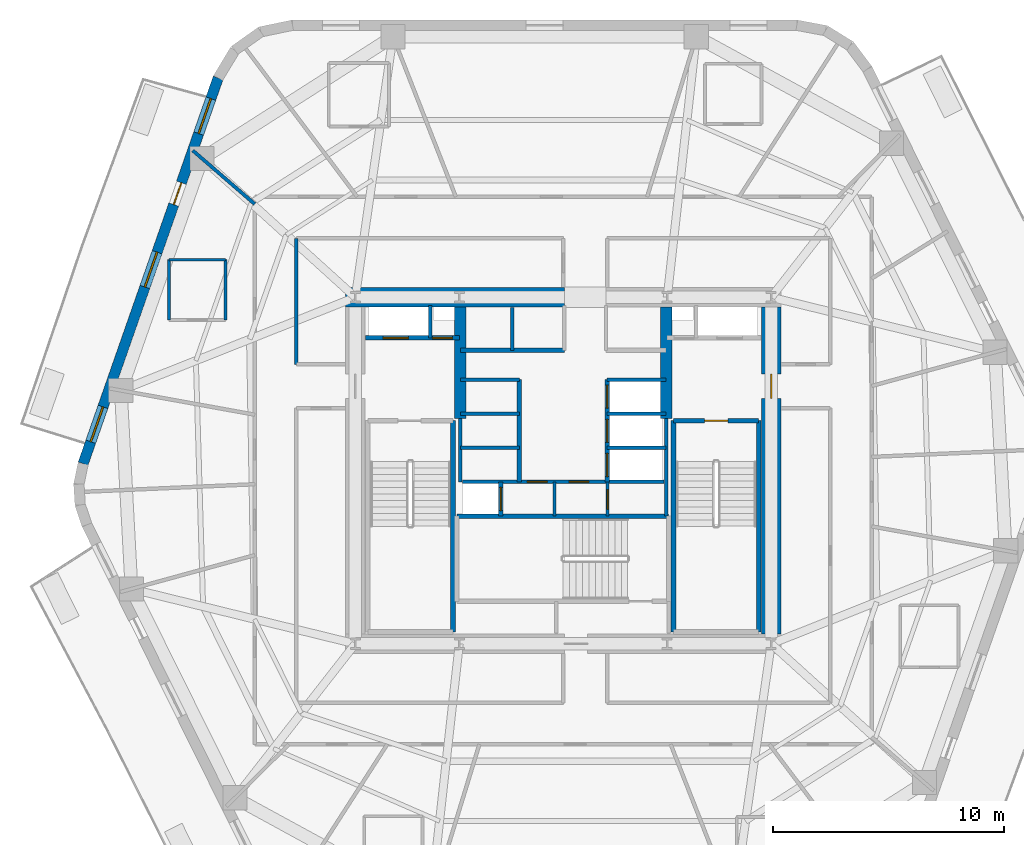
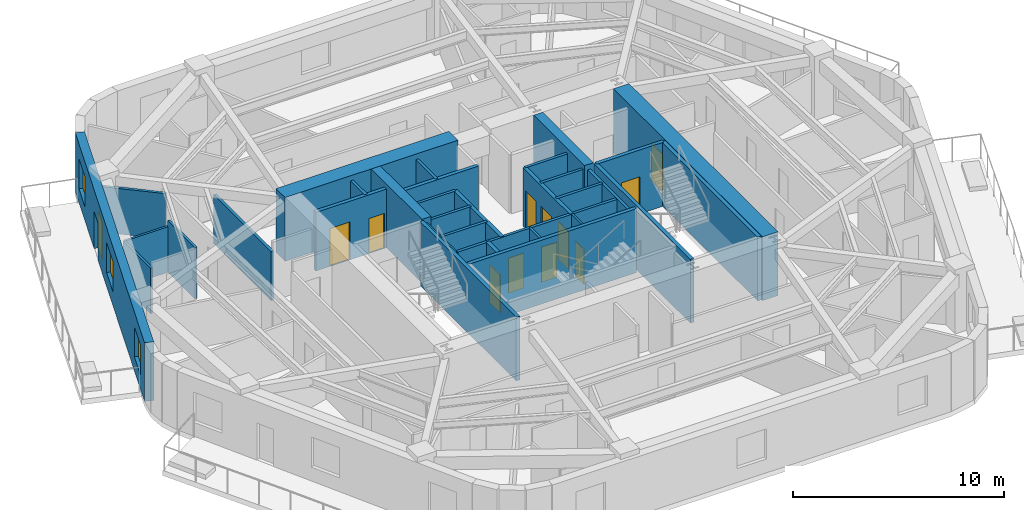
# One storey, part 4 of 10: 33 walls, 12 doors, 3 windows, 15 openings.
"""IFC4 building model written with IfcOpenShell, lengths in metres."""

import ifcopenshell
import ifcopenshell.guid

model = None  # the IFC model being written
_history = None  # IfcOwnerHistory: only IFC2X3 demands one
_inside = {}  # id of a spatial element -> (the spatial element, [elements in it])
_under = {}  # id of a project, library or spatial element -> (it, [spatial elements below it])
_declared = {}  # id of a project -> (the project, [libraries it declares])
_typed = {}  # id of a type object -> (the type object, [elements of that type])
_made_of = {}  # id of a material, layer set ... -> (it, [elements and type objects made of it])


def new_model(schema):
    """Start an empty IFC model of exactly this schema.

    Asked for "IFC4X3", IfcOpenShell would pick the latest addendum, in which some entities
    have other attributes; the version numbers below select the first issue.
    IFC2X3 requires an IfcOwnerHistory on every rooted entity: one is made here for all.
    """
    global model, _history
    if schema == "IFC4X3":
        model = ifcopenshell.file(schema_version=(4, 3, 0, 0))
    else:
        model = ifcopenshell.file(schema=schema)
    _inside.clear()
    _under.clear()
    _declared.clear()
    _typed.clear()
    _made_of.clear()
    _history = None
    if model.schema == "IFC2X3":
        org = make("IfcOrganization", Name="unknown")
        user = make(
            "IfcPersonAndOrganization",
            ThePerson=make("IfcPerson", FamilyName="unknown"),
            TheOrganization=org,
        )
        app = make(
            "IfcApplication",
            ApplicationDeveloper=org,
            Version="unknown",
            ApplicationFullName="unknown",
            ApplicationIdentifier="unknown",
        )
        _history = make(
            "IfcOwnerHistory",
            OwningUser=user,
            OwningApplication=app,
            ChangeAction="ADDED",
            CreationDate=0,
        )
    return model


def make(cls, **values):
    """One entity of the class cls with the attributes given. An attribute that is None is left unset."""
    return model.create_entity(
        cls, **{name: value for name, value in values.items() if value is not None}
    )


def rooted(cls, **values):
    """An entity with a GlobalId (a new one), such as an element, a storey or a relation."""
    return make(cls, GlobalId=ifcopenshell.guid.new(), OwnerHistory=_history, **values)


def si_unit(unit_type, name, prefix=None):
    """IfcSIUnit, for example si_unit("LENGTHUNIT", "METRE", prefix="MILLI")."""
    return make("IfcSIUnit", UnitType=unit_type, Prefix=prefix, Name=name)


def assignment(units):
    """IfcUnitAssignment: the units of a project."""
    return None if units is None else make("IfcUnitAssignment", Units=units)


def point(xyz):
    """IfcCartesianPoint."""
    return None if xyz is None else make("IfcCartesianPoint", Coordinates=xyz)


def direction(xyz):
    """IfcDirection."""
    return None if xyz is None else make("IfcDirection", DirectionRatios=xyz)


def frame(location, z_axis=None, x_axis=None):
    """IfcAxis2Placement3D, a coordinate frame: its origin and axes. An axis left out is left unset."""
    return make(
        "IfcAxis2Placement3D",
        Location=point(location),
        Axis=direction(z_axis),
        RefDirection=direction(x_axis),
    )


def frame_2d(location, x_axis=None):
    """IfcAxis2Placement2D, a coordinate frame in the plane: its origin and x axis."""
    return make(
        "IfcAxis2Placement2D", Location=point(location), RefDirection=direction(x_axis)
    )


def origin():
    """The frame at (0, 0, 0) with its axes left unset."""
    return frame((0.0, 0.0, 0.0))


def place(relative_to, where):
    """IfcLocalPlacement: puts the frame where relative to a parent placement (None: the world)."""
    return make(
        "IfcLocalPlacement", PlacementRelTo=relative_to, RelativePlacement=where
    )


def context(
    kind, dimensions, precision=None, world=None, true_north=None, identifier=None
):
    """IfcGeometricRepresentationContext, for example the 3D "Model" context."""
    return make(
        "IfcGeometricRepresentationContext",
        ContextIdentifier=identifier,
        ContextType=kind,
        CoordinateSpaceDimension=dimensions,
        Precision=precision,
        WorldCoordinateSystem=world,
        TrueNorth=true_north,
    )


def subcontext(parent, identifier, kind, view, scale=None):
    """IfcGeometricRepresentationSubContext, for example "Body" below "Model"."""
    return make(
        "IfcGeometricRepresentationSubContext",
        ContextIdentifier=identifier,
        ContextType=kind,
        ParentContext=parent,
        TargetScale=scale,
        TargetView=view,
    )


def project(units=None, contexts=None):
    """IfcProject with its units and contexts."""
    return rooted(
        "IfcProject",
        Name="project",
        RepresentationContexts=contexts,
        UnitsInContext=assignment(units),
    )


def spatial(cls, under=None, at=None, **own):
    """A site, building, storey or space (cls), placed at a placement, below another one or the project."""
    s = rooted(cls, ObjectPlacement=at, **own)
    if under is not None:
        _under.setdefault(under.id(), (under, []))[1].append(s)
    return s


def profile(cls, at=None, kind="AREA", **sizes):
    """A parametric profile (cls). Its sizes go by their IFC names, for example OverallWidth=200.0."""
    return make(cls, ProfileType=kind, Position=at, **sizes)


def rectangle(**sizes):
    """IfcRectangleProfileDef."""
    return profile("IfcRectangleProfileDef", **sizes)


def extrude(swept, where, along, depth):
    """IfcExtrudedAreaSolid: the profile swept, set in the frame where, extruded along a direction by depth."""
    return make(
        "IfcExtrudedAreaSolid",
        SweptArea=swept,
        Position=where,
        ExtrudedDirection=direction(along),
        Depth=depth,
    )


def shape(context_of_items, identifier, shape_type, items):
    """IfcShapeRepresentation: the items that make up one representation, for example the "Body"."""
    return make(
        "IfcShapeRepresentation",
        ContextOfItems=context_of_items,
        RepresentationIdentifier=identifier,
        RepresentationType=shape_type,
        Items=items,
    )


def material(Name=None, Category=None):
    """IfcMaterial."""
    return make("IfcMaterial", Name=Name, Category=Category)


def layer(
    of_material, thickness, ventilated=None, Name=None, Category=None, Priority=None
):
    """IfcMaterialLayer: one layer of a wall or slab, of a material (None: an air gap)."""
    return make(
        "IfcMaterialLayer",
        Material=of_material,
        LayerThickness=thickness,
        IsVentilated=ventilated,
        Name=Name,
        Category=Category,
        Priority=Priority,
    )


def layer_set(layers, Name=None):
    """IfcMaterialLayerSet."""
    return make("IfcMaterialLayerSet", MaterialLayers=layers, LayerSetName=Name)


def made_of(thing, what):
    """Note that an element or type object is made of a material, layer set ...; save() writes the relation."""
    if what is not None:
        _made_of.setdefault(what.id(), (what, []))[1].append(thing)
    return thing


def type_object(cls, material=None, **own):
    """A type object (cls), such as IfcWallType, which elements share."""
    return made_of(rooted(cls, **own), material)


def element(
    cls,
    number,
    at=None,
    inside=None,
    cuts=None,
    type_object=None,
    material=None,
    context=None,
    identifier="Body",
    shape_type=None,
    held_by="IfcProductDefinitionShape",
    body=None,
    shapes=None,
    **own,
):
    """One element of the class cls, such as IfcWall. Its Tag is "e" and its number.

    at: its placement. inside: the storey or other place that contains it. cuts: it is an
    opening in that element (IfcRelVoidsElement). A single representation is given by context,
    identifier, shape_type and body (its items); several are given by shapes. held_by: the class
    of the entity that holds the representations. save() writes the other relations.
    """
    e = rooted(cls, Tag="e%d" % number, ObjectPlacement=at, **own)
    if body is not None:
        shapes = [shape(context, identifier, shape_type, body)]
    if shapes is not None:
        e.Representation = make(held_by, Representations=shapes)
    if inside is not None:
        _inside.setdefault(inside.id(), (inside, []))[1].append(e)
    if cuts is not None:
        rooted(
            "IfcRelVoidsElement", RelatingBuildingElement=cuts, RelatedOpeningElement=e
        )
    if type_object is not None:
        _typed.setdefault(type_object.id(), (type_object, []))[1].append(e)
    return made_of(e, material)


def fill(opening, filler):
    """IfcRelFillsElement: the door or window that sits in an opening."""
    return rooted(
        "IfcRelFillsElement",
        RelatingOpeningElement=opening,
        RelatedBuildingElement=filler,
    )


def aggregate(whole, parts):
    """IfcRelAggregates: a whole, such as a stair, and the parts it consists of."""
    return rooted("IfcRelAggregates", RelatingObject=whole, RelatedObjects=parts)


def save(model, path):
    """Write the relations noted so far, then the file.

    IfcRelAggregates (storeys below a building ...), IfcRelContainedInSpatialStructure (elements
    in a storey), IfcRelDefinesByType, IfcRelAssociatesMaterial and IfcRelDeclares: one each for
    every whole, place, type object, material and project.
    """
    for whole, parts in _under.values():
        aggregate(whole, parts)
    for where, things in _inside.values():
        rooted(
            "IfcRelContainedInSpatialStructure",
            RelatedElements=things,
            RelatingStructure=where,
        )
    for kind, things in _typed.values():
        rooted("IfcRelDefinesByType", RelatedObjects=things, RelatingType=kind)
    for what, things in _made_of.values():
        rooted("IfcRelAssociatesMaterial", RelatedObjects=things, RelatingMaterial=what)
    for by, libraries in _declared.values():
        rooted("IfcRelDeclares", RelatingContext=by, RelatedDefinitions=libraries)
    model.write(path)


model = new_model("IFC4")

# Units and contexts
model_context = context("Model", 3, precision=1e-05, world=origin(), true_north=direction((0.0, 1.0)))
body_context = subcontext(model_context, "Body", "Model", "MODEL_VIEW")
ifc_project = project(units=[si_unit("LENGTHUNIT", "METRE"), si_unit("AREAUNIT", "SQUARE_METRE"), si_unit("VOLUMEUNIT", "CUBIC_METRE"), si_unit("PLANEANGLEUNIT", "RADIAN"), si_unit("MASSUNIT", "GRAM", prefix="KILO")], contexts=[model_context])

# Site, building, storey
site_placement = place(None, origin())
site = spatial("IfcSite", under=ifc_project, at=site_placement, CompositionType="ELEMENT")
building_placement = place(site_placement, origin())
building = spatial("IfcBuilding", under=site, at=building_placement, Name="Kilnhurst Terrace Hotel", CompositionType="ELEMENT")
storey_placement = place(building_placement, frame((0.0, 0.0, 144.300048828125)))
storey = spatial("IfcBuildingStorey", under=building, at=storey_placement, Name="L35", CompositionType="ELEMENT", Elevation=144.300048828125)

# Wall, openings, door, windows
ifc_material_1 = material(Name="Precast concrete C40/50", Category="concrete")
ifc_layer_1 = layer(ifc_material_1, 0.449951171875, Name="Precast concrete C40/50")
ifc_layer_set_1 = layer_set([ifc_layer_1], Name="Precast concrete C40/50")
wall_type_1 = type_object("IfcWallType", Name="WL-BRK-450", PredefinedType="SOLIDWALL", material=ifc_layer_set_1)
wall_1_placement = place(storey_placement, frame((-14.936767578125, 16.993408203125, 0.0), z_axis=(0.0, 0.0, 1.0), x_axis=(-0.330431575061, -0.943829949834, 0.0)))
wall_1 = element("IfcWall", 1, at=wall_1_placement, inside=storey, type_object=wall_type_1, Name="L35 Exterior Brick Facade Wall F5", PredefinedType="SOLIDWALL", context=body_context, shape_type="SweptSolid", body=[
    extrude(rectangle(XDim=17.68896484375, YDim=0.449951171875, at=frame_2d((8.844482421875, 0.0))), origin(), (0.0, 0.0, 1.0), 3.39990234375),
])
opening_1_placement = place(wall_1_placement, frame((4.806884765625, 0.0, 0.0)))
opening_1 = element("IfcOpeningElement", 2, at=opening_1_placement, cuts=wall_1, Name="Opening BD-1000", PredefinedType="OPENING", context=body_context, shape_type="SweptSolid", body=[
    extrude(rectangle(XDim=1.0, YDim=2.14990234375, at=frame_2d((0.5, 1.074951171875))), frame((0.0, 0.23486328125, 0.0), z_axis=(0.0, -1.0, 0.0), x_axis=(1.0, 0.0, 0.0)), (0.0, 0.0, 1.0), 0.469970703125),
])
opening_2_placement = place(wall_1_placement, frame((0.949951171875, 0.0, 0.800048828125)))
opening_2 = element("IfcOpeningElement", 3, at=opening_2_placement, cuts=wall_1, Name="Opening W-05", PredefinedType="OPENING", context=body_context, shape_type="SweptSolid", body=[
    extrude(rectangle(XDim=1.60009765625, YDim=1.75, at=frame_2d((0.800048828125, 0.875))), frame((0.0, 0.23486328125, 0.0), z_axis=(0.0, -1.0, 0.0), x_axis=(1.0, 0.0, 0.0)), (0.0, 0.0, 1.0), 0.469970703125),
])
opening_3_placement = place(wall_1_placement, frame((7.989990234375, 0.0, 0.800048828125)))
opening_3 = element("IfcOpeningElement", 4, at=opening_3_placement, cuts=wall_1, Name="Opening W-05", PredefinedType="OPENING", context=body_context, shape_type="SweptSolid", body=[
    extrude(rectangle(XDim=1.60009765625, YDim=1.75, at=frame_2d((0.800048828125, 0.875))), frame((0.0, 0.23486328125, 0.0), z_axis=(0.0, -1.0, 0.0), x_axis=(1.0, 0.0, 0.0)), (0.0, 0.0, 1.0), 0.469970703125),
])
opening_4_placement = place(wall_1_placement, frame((15.083984375, 0.0, 0.800048828125)))
opening_4 = element("IfcOpeningElement", 5, at=opening_4_placement, cuts=wall_1, Name="Opening W-05", PredefinedType="OPENING", context=body_context, shape_type="SweptSolid", body=[
    extrude(rectangle(XDim=1.60009765625, YDim=1.75, at=frame_2d((0.800048828125, 0.875))), frame((0.0, 0.23486328125, 0.0), z_axis=(0.0, -1.0, 0.0), x_axis=(1.0, 0.0, 0.0)), (0.0, 0.0, 1.0), 0.469970703125),
])
ifc_material_2 = material(Name="Thermally Broken Bronze Aluminium Alloy 6063-T6 and Laminated Glass", Category="aluminium")
door_type_1 = type_object("IfcDoorType", Name="DR-EXT-BAL-1000", OperationType="NOTDEFINED", PredefinedType="DOOR", material=ifc_material_2)
door_1_placement = place(opening_1_placement, origin())
door_1 = element("IfcDoor", 6, at=door_1_placement, inside=storey, type_object=door_type_1, Name="L35 Planted Balcony Door BAL-L2A", OperationType="SINGLE_SWING_LEFT", OverallHeight=2.14990234375, OverallWidth=1.0, PredefinedType="DOOR", context=body_context, shape_type="SweptSolid", body=[
    extrude(rectangle(XDim=1.0, YDim=2.14990234375, at=frame_2d((0.5, 1.074951171875))), frame((0.0, 0.02490234375, 0.0), z_axis=(0.0, -1.0, 0.0), x_axis=(1.0, 0.0, 0.0)), (0.0, 0.0, 1.0), 0.050048828125),
])
fill(opening_1, door_1)
ifc_material_3 = material(Name="Thermally Broken Bronze Aluminium Alloy 6063-T6 and Low-E Glass", Category="aluminium")
window_type = type_object("IfcWindowType", Name="WIN-1600X1750", PartitioningType="SINGLE_PANEL", PredefinedType="WINDOW", material=ifc_material_3)
window_1_placement = place(opening_2_placement, origin())
window_1 = element("IfcWindow", 7, at=window_1_placement, inside=storey, type_object=window_type, Name="L35 Deep-Set Masonry Window F5.1", OverallHeight=1.75, OverallWidth=1.60009765625, PartitioningType="SINGLE_PANEL", PredefinedType="WINDOW", context=body_context, shape_type="SweptSolid", body=[
    extrude(rectangle(XDim=1.60009765625, YDim=1.75, at=frame_2d((0.800048828125, 0.875))), frame((0.0, 0.030029296875, 0.0), z_axis=(0.0, -1.0, 0.0), x_axis=(1.0, 0.0, 0.0)), (0.0, 0.0, 1.0), 0.06005859375),
])
fill(opening_2, window_1)
window_2_placement = place(opening_3_placement, origin())
window_2 = element("IfcWindow", 8, at=window_2_placement, inside=storey, type_object=window_type, Name="L35 Deep-Set Masonry Window F5.2", OverallHeight=1.75, OverallWidth=1.60009765625, PartitioningType="SINGLE_PANEL", PredefinedType="WINDOW", context=body_context, shape_type="SweptSolid", body=[
    extrude(rectangle(XDim=1.60009765625, YDim=1.75, at=frame_2d((0.800048828125, 0.875))), frame((0.0, 0.030029296875, 0.0), z_axis=(0.0, -1.0, 0.0), x_axis=(1.0, 0.0, 0.0)), (0.0, 0.0, 1.0), 0.06005859375),
])
fill(opening_3, window_2)
window_3_placement = place(opening_4_placement, origin())
window_3 = element("IfcWindow", 9, at=window_3_placement, inside=storey, type_object=window_type, Name="L35 Deep-Set Masonry Window F5.3", OverallHeight=1.75, OverallWidth=1.60009765625, PartitioningType="SINGLE_PANEL", PredefinedType="WINDOW", context=body_context, shape_type="SweptSolid", body=[
    extrude(rectangle(XDim=1.60009765625, YDim=1.75, at=frame_2d((0.800048828125, 0.875))), frame((0.0, 0.030029296875, 0.0), z_axis=(0.0, -1.0, 0.0), x_axis=(1.0, 0.0, 0.0)), (0.0, 0.0, 1.0), 0.06005859375),
])
fill(opening_4, window_3)

# Walls
ifc_material_4 = material(Name="Acoustic Double-Gypsum Corridor Partition Assembly")
ifc_layer_2 = layer(ifc_material_4, 0.14990234375, Name="Acoustic Double-Gypsum Corridor Partition Assembly")
ifc_layer_set_2 = layer_set([ifc_layer_2], Name="Acoustic Double-Gypsum Corridor Partition Assembly")
wall_type_2 = type_object("IfcWallType", Name="WL-COR-150", PredefinedType="PARTITIONING", material=ifc_layer_set_2)
wall_2_placement = place(storey_placement, frame((-11.550048828125, 10.050048828125, 0.0), z_axis=(0.0, 0.0, 1.0), x_axis=(0.0, -1.0, 0.0)))
element("IfcWall", 10, at=wall_2_placement, inside=storey, type_object=wall_type_2, Name="L35 Interior Wall WL-L35-COR-13", PredefinedType="PARTITIONING", context=body_context, shape_type="SweptSolid", body=[
    extrude(rectangle(XDim=5.449951171875, YDim=0.14990234375, at=frame_2d((2.72509765625, 0.0))), origin(), (0.0, 0.0, 1.0), 2.83984375),
])
ifc_material_5 = material(Name="Concrete C80/95", Category="concrete")
ifc_layer_3 = layer(ifc_material_5, 0.85009765625, Name="Concrete C80/95")
ifc_layer_set_3 = layer_set([ifc_layer_3], Name="Concrete C80/95")
wall_type_3 = type_object("IfcWallType", Name="WL-CORE-850", PredefinedType="SHEAR", material=ifc_layer_set_3)
wall_3_placement = place(storey_placement, frame((-9.425048828125, 7.5, 0.0), z_axis=(0.0, 0.0, 1.0), x_axis=(1.0, 0.0, 0.0)))
element("IfcWall", 11, at=wall_3_placement, inside=storey, type_object=wall_type_3, Name="L35 Core North West Shear Wall", PredefinedType="SHEAR", context=body_context, shape_type="SweptSolid", body=[
    extrude(rectangle(XDim=9.47509765625, YDim=0.85009765625, at=frame_2d((4.737548828125, 0.0))), origin(), (0.0, 0.0, 1.0), 3.699951171875),
])

# Wall, opening, door
wall_4_placement = place(storey_placement, frame((9.0, -7.074951171875, 0.0), z_axis=(0.0, 0.0, 1.0), x_axis=(0.0, 1.0, 0.0)))
wall_4 = element("IfcWall", 12, at=wall_4_placement, inside=storey, type_object=wall_type_3, Name="L35 Core East Shear Wall", PredefinedType="SHEAR", context=body_context, shape_type="SweptSolid", body=[
    extrude(rectangle(XDim=14.14990234375, YDim=0.85009765625, at=frame_2d((7.074951171875, 0.0))), origin(), (0.0, 0.0, 1.0), 3.699951171875),
])
opening_5_placement = place(wall_4_placement, frame((10.199951171875, 0.0, 0.0)))
opening_5 = element("IfcOpeningElement", 13, at=opening_5_placement, cuts=wall_4, Name="Opening D-90A", PredefinedType="OPENING", context=body_context, shape_type="SweptSolid", body=[
    extrude(rectangle(XDim=1.050048828125, YDim=2.14990234375, at=frame_2d((0.52490234375, 1.074951171875))), frame((0.0, 0.43505859375, 0.0), z_axis=(0.0, -1.0, 0.0), x_axis=(1.0, 0.0, 0.0)), (0.0, 0.0, 1.0), 0.8701171875),
])
ifc_material_6 = material(Name="Painted Hollow Metal Steel ASTM A36 Fire Door", Category="steel")
door_type_2 = type_object("IfcDoorType", Name="DR-FD90-1050", OperationType="NOTDEFINED", PredefinedType="DOOR", material=ifc_material_6)
door_2_placement = place(opening_5_placement, origin())
door_2 = element("IfcDoor", 14, at=door_2_placement, inside=storey, type_object=door_type_2, Name="L35 East Firefighting Lobby Door", OperationType="SINGLE_SWING_LEFT", OverallHeight=2.14990234375, OverallWidth=1.050048828125, PredefinedType="DOOR", context=body_context, shape_type="SweptSolid", body=[
    extrude(rectangle(XDim=1.050048828125, YDim=2.14990234375, at=frame_2d((0.52490234375, 1.074951171875))), frame((0.0, 0.02490234375, 0.0), z_axis=(0.0, -1.0, 0.0), x_axis=(1.0, 0.0, 0.0)), (0.0, 0.0, 1.0), 0.050048828125),
])
fill(opening_5, door_2)

# Walls
ifc_material_7 = material(Name="Concrete C60/75", Category="concrete")
ifc_layer_4 = layer(ifc_material_7, 0.5, Name="Concrete C60/75")
ifc_layer_set_4 = layer_set([ifc_layer_4], Name="Concrete C60/75")
wall_type_4 = type_object("IfcWallType", Name="WL-CORE-WEB-500", PredefinedType="SHEAR", material=ifc_layer_set_4)
for number, where, z_axis, x_axis, name in (
    (15, (-4.449951171875, 2.25, 0.0), (0.0, 0.0, 1.0), (0.0, 1.0, 0.0), "L35 Core Internal West Shear Web"),
    (16, (4.449951171875, 2.25, 0.0), (0.0, 0.0, 1.0), (0.0, 1.0, 0.0), "L35 Core Internal East Shear Web"),
):
    element("IfcWall", number, at=place(storey_placement, frame(where, z_axis=z_axis, x_axis=x_axis)), inside=storey, type_object=wall_type_4, Name=name, PredefinedType="SHEAR", context=body_context, shape_type="SweptSolid", body=[
        extrude(rectangle(XDim=4.824951171875, YDim=0.5, at=frame_2d((2.41259765625, 0.0))), origin(), (0.0, 0.0, 1.0), 3.699951171875),
    ])
ifc_material_8 = material(Name="STC-58 Acoustic Twin-Frame Guestroom Demising Partition")
ifc_layer_5 = layer(ifc_material_8, 0.14990234375, Name="STC-58 Acoustic Twin-Frame Guestroom Demising Partition")
ifc_layer_set_5 = layer_set([ifc_layer_5], Name="STC-58 Acoustic Twin-Frame Guestroom Demising Partition")
wall_type_5 = type_object("IfcWallType", Name="WL-DEM-150", PredefinedType="PARTITIONING", material=ifc_layer_set_5)
wall_5_placement = place(storey_placement, frame((-13.35009765625, 11.53271484375, 0.0), z_axis=(0.0, 0.0, 1.0), x_axis=(-0.756711647314, 0.65374879183, 0.0)))
element("IfcWall", 17, at=wall_5_placement, inside=storey, type_object=wall_type_5, Name="L35 Interior Wall WL-L35-DEM-COL05-09-1", PredefinedType="PARTITIONING", context=body_context, shape_type="SweptSolid", body=[
    extrude(rectangle(XDim=3.549560546875, YDim=0.14990234375, at=frame_2d((1.77490234375, 0.0))), origin(), (0.0, 0.0, 1.0), 2.639892578125),
])
ifc_material_9 = material(Name="120 mm Moisture-Resistant Tile-Backed Bathroom Partition")
ifc_layer_6 = layer(ifc_material_9, 0.1201171875, Name="120 mm Moisture-Resistant Tile-Backed Bathroom Partition")
ifc_layer_set_6 = layer_set([ifc_layer_6], Name="120 mm Moisture-Resistant Tile-Backed Bathroom Partition")
wall_type_6 = type_object("IfcWallType", Name="WL-PART-120", PredefinedType="PARTITIONING", material=ifc_layer_set_6)
wall_6_placement = place(storey_placement, frame((-0.3798828125, -1.971923828125, 0.0), z_axis=(0.0, 0.0, 1.0), x_axis=(0.0, 1.0, 0.0)))
element("IfcWall", 18, at=wall_6_placement, inside=storey, type_object=wall_type_6, Name="L35 Interior Wall WL-L35-BOH-C1", PredefinedType="PARTITIONING", context=body_context, shape_type="SweptSolid", body=[
    extrude(rectangle(XDim=1.471923828125, YDim=0.1201171875, at=frame_2d((0.73583984375, 0.0))), origin(), (0.0, 0.0, 1.0), 3.39990234375),
])

# Wall, opening, door
wall_7_placement = place(storey_placement, frame((1.919921875, -1.971923828125, 0.0), z_axis=(0.0, 0.0, 1.0), x_axis=(0.0, 1.0, 0.0)))
wall_7 = element("IfcWall", 19, at=wall_7_placement, inside=storey, type_object=wall_type_6, Name="L35 Interior Wall WL-L35-BOH-C2", PredefinedType="PARTITIONING", context=body_context, shape_type="SweptSolid", body=[
    extrude(rectangle(XDim=1.471923828125, YDim=0.1201171875, at=frame_2d((0.73583984375, 0.0))), origin(), (0.0, 0.0, 1.0), 3.39990234375),
])
opening_6_placement = place(wall_7_placement, frame((0.300048828125, 0.0, 0.0)))
opening_6 = element("IfcOpeningElement", 20, at=opening_6_placement, cuts=wall_7, Name="Opening D-08A", PredefinedType="OPENING", context=body_context, shape_type="SweptSolid", body=[
    extrude(rectangle(XDim=0.85009765625, YDim=2.030029296875, at=frame_2d((0.425048828125, 1.01513671875))), frame((0.0, 0.070068359375, 0.0), z_axis=(0.0, -1.0, 0.0), x_axis=(1.0, 0.0, 0.0)), (0.0, 0.0, 1.0), 0.14013671875),
])
ifc_material_10 = material(Name="Moisture-Resistant Lacquered En-suite Bathroom Door")
door_type_3 = type_object("IfcDoorType", Name="DR-INT-850", OperationType="NOTDEFINED", PredefinedType="DOOR", material=ifc_material_10)
door_3_placement = place(opening_6_placement, origin())
door_3 = element("IfcDoor", 21, at=door_3_placement, inside=storey, type_object=door_type_3, Name="L35 Staff Restroom Door", OperationType="SINGLE_SWING_RIGHT", OverallHeight=2.030029296875, OverallWidth=0.85009765625, PredefinedType="DOOR", context=body_context, shape_type="SweptSolid", body=[
    extrude(rectangle(XDim=0.85009765625, YDim=2.030029296875, at=frame_2d((0.425048828125, 1.01513671875))), frame((0.0, 0.02490234375, 0.0), z_axis=(0.0, -1.0, 0.0), x_axis=(1.0, 0.0, 0.0)), (0.0, 0.0, 1.0), 0.050048828125),
])
fill(opening_6, door_3)

# Walls
wall_8_placement = place(storey_placement, frame((-14.623046875, 6.513916015625, 0.0), z_axis=(0.0, 0.0, 1.0), x_axis=(0.0, 1.0, 0.0)))
element("IfcWall", 22, at=wall_8_placement, inside=storey, type_object=wall_type_6, Name="L35 Interior Wall WL-L35-BTH-09-2", PredefinedType="PARTITIONING", context=body_context, shape_type="SweptSolid", body=[
    extrude(rectangle(XDim=2.610107421875, YDim=0.1201171875, at=frame_2d((1.30517578125, 0.0))), origin(), (0.0, 0.0, 1.0), 2.972412109375),
])
wall_9_placement = place(storey_placement, frame((-14.623046875, 9.1240234375, 0.0), z_axis=(0.0, 0.0, 1.0), x_axis=(-1.0, 0.0, 0.0)))
element("IfcWall", 23, at=wall_9_placement, inside=storey, type_object=wall_type_6, Name="L35 Interior Wall WL-L35-BTH-09-3", PredefinedType="PARTITIONING", context=body_context, shape_type="SweptSolid", body=[
    extrude(rectangle(XDim=2.43994140625, YDim=0.1201171875, at=frame_2d((1.219970703125, 0.0))), origin(), (0.0, 0.0, 1.0), 2.639892578125),
])
wall_10_placement = place(storey_placement, frame((-17.06298828125, 9.1240234375, 0.0), z_axis=(0.0, 0.0, 1.0), x_axis=(0.0, -1.0, 0.0)))
element("IfcWall", 24, at=wall_10_placement, inside=storey, type_object=wall_type_6, Name="L35 Interior Wall WL-L35-BTH-09-4", PredefinedType="PARTITIONING", context=body_context, shape_type="SweptSolid", body=[
    extrude(rectangle(XDim=2.610107421875, YDim=0.1201171875, at=frame_2d((1.30517578125, 0.0))), origin(), (0.0, 0.0, 1.0), 2.639892578125),
])
ifc_material_11 = material(Name="Fire-Rated Gypsum Shaftliner Assembly")
ifc_layer_7 = layer(ifc_material_11, 0.14990234375, Name="Fire-Rated Gypsum Shaftliner Assembly")
ifc_layer_set_7 = layer_set([ifc_layer_7], Name="Fire-Rated Gypsum Shaftliner Assembly")
wall_type_7 = type_object("IfcWallType", Name="WL-SHAFT-150", PredefinedType="PARTITIONING", material=ifc_layer_set_7)
wall_11_placement = place(storey_placement, frame((-5.75, 5.739990234375, 0.0), z_axis=(0.0, 0.0, 1.0), x_axis=(0.0, 1.0, 0.0)))
element("IfcWall", 25, at=wall_11_placement, inside=storey, type_object=wall_type_7, Name="L35 Interior Wall WL-L35-RIS1-DIV", PredefinedType="PARTITIONING", context=body_context, shape_type="SweptSolid", body=[
    extrude(rectangle(XDim=1.409912109375, YDim=0.14990234375, at=frame_2d((0.705078125, 0.0))), origin(), (0.0, 0.0, 1.0), 3.39990234375),
])
wall_12_placement = place(storey_placement, frame((-2.199951171875, 5.199951171875, 0.0), z_axis=(0.0, 0.0, 1.0), x_axis=(0.0, 1.0, 0.0)))
element("IfcWall", 26, at=wall_12_placement, inside=storey, type_object=wall_type_7, Name="L35 Interior Wall WL-L35-HR-DIV1", PredefinedType="PARTITIONING", context=body_context, shape_type="SweptSolid", body=[
    extrude(rectangle(XDim=1.85009765625, YDim=0.14990234375, at=frame_2d((0.925048828125, 0.0))), origin(), (0.0, 0.0, 1.0), 3.39990234375),
])
wall_13_placement = place(storey_placement, frame((-4.449951171875, -0.5, 0.0), z_axis=(0.0, 0.0, 1.0), x_axis=(0.0, 1.0, 0.0)))
element("IfcWall", 27, at=wall_13_placement, inside=storey, type_object=wall_type_7, Name="L35 Interior Wall WL-L35-XLOB-W", PredefinedType="PARTITIONING", context=body_context, shape_type="SweptSolid", body=[
    extrude(rectangle(XDim=2.75, YDim=0.14990234375, at=frame_2d((1.375, 0.0))), origin(), (0.0, 0.0, 1.0), 3.39990234375),
])
wall_14_placement = place(storey_placement, frame((4.449951171875, -1.971923828125, 0.0), z_axis=(0.0, 0.0, 1.0), x_axis=(0.0, 1.0, 0.0)))
element("IfcWall", 28, at=wall_14_placement, inside=storey, type_object=wall_type_7, Name="L35 Interior Wall WL-L35-XLOB-E", PredefinedType="PARTITIONING", context=body_context, shape_type="SweptSolid", body=[
    extrude(rectangle(XDim=4.221923828125, YDim=0.14990234375, at=frame_2d((2.11083984375, 0.0))), origin(), (0.0, 0.0, 1.0), 3.39990234375),
])
for number, where, z_axis, x_axis, name in (
    (29, (-4.449951171875, 3.93994140625, 0.0), (0.0, 0.0, 1.0), (1.0, 0.0, 0.0), "L35 Interior Wall WL-L35-LR-NORTH"),
    (30, (-4.449951171875, 0.97998046875, 0.0), (0.0, 0.0, 1.0), (1.0, 0.0, 0.0), "L35 Interior Wall WL-L35-LR-D1"),
    (31, (-4.449951171875, 2.4599609375, 0.0), (0.0, 0.0, 1.0), (1.0, 0.0, 0.0), "L35 Interior Wall WL-L35-LR-D2"),
    (32, (1.89990234375, 3.93994140625, 0.0), (0.0, 0.0, 1.0), (1.0, 0.0, 0.0), "L35 Interior Wall WL-L35-MR-NORTH"),
    (33, (1.89990234375, 0.97998046875, 0.0), (0.0, 0.0, 1.0), (1.0, 0.0, 0.0), "L35 Interior Wall WL-L35-MR-D1"),
    (34, (1.89990234375, 2.4599609375, 0.0), (0.0, 0.0, 1.0), (1.0, 0.0, 0.0), "L35 Interior Wall WL-L35-MR-D2"),
):
    element("IfcWall", number, at=place(storey_placement, frame(where, z_axis=z_axis, x_axis=x_axis)), inside=storey, type_object=wall_type_7, Name=name, PredefinedType="PARTITIONING", context=body_context, shape_type="SweptSolid", body=[
        extrude(rectangle(XDim=2.550048828125, YDim=0.14990234375, at=frame_2d((1.27490234375, 0.0))), origin(), (0.0, 0.0, 1.0), 3.39990234375),
    ])

# Wall, openings, doors
wall_15_placement = place(storey_placement, frame((-4.360107421875, -0.489990234375, 0.0), z_axis=(0.0, 0.0, 1.0), x_axis=(1.0, 0.0, 0.0)))
wall_15 = element("IfcWall", 35, at=wall_15_placement, inside=storey, type_object=wall_type_7, Name="L35 Interior Wall WL-L35-BOH-N", PredefinedType="PARTITIONING", context=body_context, shape_type="SweptSolid", body=[
    extrude(rectangle(XDim=8.72021484375, YDim=0.14990234375, at=frame_2d((4.360107421875, 0.0))), origin(), (0.0, 0.0, 1.0), 3.39990234375),
])
opening_7_placement = place(wall_15_placement, frame((2.81005859375, 0.0, 0.0)))
opening_7 = element("IfcOpeningElement", 36, at=opening_7_placement, cuts=wall_15, Name="Opening D-60D", PredefinedType="OPENING", context=body_context, shape_type="SweptSolid", body=[
    extrude(rectangle(XDim=0.85009765625, YDim=2.030029296875, at=frame_2d((0.425048828125, 1.01513671875))), frame((0.0, 0.0849609375, 0.0), z_axis=(0.0, -1.0, 0.0), x_axis=(1.0, 0.0, 0.0)), (0.0, 0.0, 1.0), 0.169921875),
])
opening_8_placement = place(wall_15_placement, frame((4.610107421875, 0.0, 0.0)))
opening_8 = element("IfcOpeningElement", 37, at=opening_8_placement, cuts=wall_15, Name="Opening D-60D", PredefinedType="OPENING", context=body_context, shape_type="SweptSolid", body=[
    extrude(rectangle(XDim=0.85009765625, YDim=2.030029296875, at=frame_2d((0.425048828125, 1.01513671875))), frame((0.0, 0.0849609375, 0.0), z_axis=(0.0, -1.0, 0.0), x_axis=(1.0, 0.0, 0.0)), (0.0, 0.0, 1.0), 0.169921875),
])
ifc_material_12 = material(Name="Painted Hollow Metal Steel ASTM A36 Riser Door", Category="steel")
door_type_4 = type_object("IfcDoorType", Name="DR-FD60-850", OperationType="NOTDEFINED", PredefinedType="DOOR", material=ifc_material_12)
door_4_placement = place(opening_7_placement, origin())
door_4 = element("IfcDoor", 38, at=door_4_placement, inside=storey, type_object=door_type_4, Name="L35 Housekeeping Station Door", OperationType="SINGLE_SWING_LEFT", OverallHeight=2.030029296875, OverallWidth=0.85009765625, PredefinedType="DOOR", context=body_context, shape_type="SweptSolid", body=[
    extrude(rectangle(XDim=0.85009765625, YDim=2.030029296875, at=frame_2d((0.425048828125, 1.01513671875))), frame((0.0, 0.02490234375, 0.0), z_axis=(0.0, -1.0, 0.0), x_axis=(1.0, 0.0, 0.0)), (0.0, 0.0, 1.0), 0.050048828125),
])
fill(opening_7, door_4)
door_5_placement = place(opening_8_placement, origin())
door_5 = element("IfcDoor", 39, at=door_5_placement, inside=storey, type_object=door_type_4, Name="L35 Beverage Pantry Door", OperationType="SINGLE_SWING_RIGHT", OverallHeight=2.030029296875, OverallWidth=0.85009765625, PredefinedType="DOOR", context=body_context, shape_type="SweptSolid", body=[
    extrude(rectangle(XDim=0.85009765625, YDim=2.030029296875, at=frame_2d((0.425048828125, 1.01513671875))), frame((0.0, 0.02490234375, 0.0), z_axis=(0.0, -1.0, 0.0), x_axis=(1.0, 0.0, 0.0)), (0.0, 0.0, 1.0), 0.050048828125),
])
fill(opening_8, door_5)

ifc_material_13 = material(Name="Autoclaved Aerated Concrete C30/37 and Gypsum Shaft Assembly", Category="concrete")
ifc_layer_8 = layer(ifc_material_13, 0.199951171875, Name="Autoclaved Aerated Concrete C30/37 and Gypsum Shaft Assembly")
ifc_layer_set_8 = layer_set([ifc_layer_8], Name="Autoclaved Aerated Concrete C30/37 and Gypsum Shaft Assembly")
wall_type_8 = type_object("IfcWallType", Name="WL-SHAFT-200", PredefinedType="PARTITIONING", material=ifc_layer_set_8)
wall_16_placement = place(storey_placement, frame((-8.550048828125, 5.739990234375, 0.0), z_axis=(0.0, 0.0, 1.0), x_axis=(1.0, 0.0, 0.0)))
wall_16 = element("IfcWall", 40, at=wall_16_placement, inside=storey, type_object=wall_type_8, Name="L35 Interior Wall WL-L35-FSAE1-S", PredefinedType="PARTITIONING", context=body_context, shape_type="SweptSolid", body=[
    extrude(rectangle(XDim=4.050048828125, YDim=0.199951171875, at=frame_2d((2.02490234375, 0.0))), origin(), (0.0, 0.0, 1.0), 3.39990234375),
])
opening_9_placement = place(wall_16_placement, frame((0.75, 0.0, 0.0)))
opening_9 = element("IfcOpeningElement", 41, at=opening_9_placement, cuts=wall_16, Name="Opening LD-F1", PredefinedType="OPENING", context=body_context, shape_type="SweptSolid", body=[
    extrude(rectangle(XDim=1.10009765625, YDim=2.199951171875, at=frame_2d((0.550048828125, 1.10009765625))), frame((0.0, 0.10986328125, 0.0), z_axis=(0.0, -1.0, 0.0), x_axis=(1.0, 0.0, 0.0)), (0.0, 0.0, 1.0), 0.219970703125),
])
opening_10_placement = place(wall_16_placement, frame((2.89990234375, 0.0, 0.0)))
opening_10 = element("IfcOpeningElement", 42, at=opening_10_placement, cuts=wall_16, Name="Opening D-60D", PredefinedType="OPENING", context=body_context, shape_type="SweptSolid", body=[
    extrude(rectangle(XDim=0.85009765625, YDim=2.030029296875, at=frame_2d((0.425048828125, 1.01513671875))), frame((0.0, 0.10986328125, 0.0), z_axis=(0.0, -1.0, 0.0), x_axis=(1.0, 0.0, 0.0)), (0.0, 0.0, 1.0), 0.219970703125),
])
door_6_placement = place(opening_10_placement, origin())
door_6 = element("IfcDoor", 43, at=door_6_placement, inside=storey, type_object=door_type_4, Name="L35 Electrical Riser Door", OperationType="SINGLE_SWING_LEFT", OverallHeight=2.030029296875, OverallWidth=0.85009765625, PredefinedType="DOOR", context=body_context, shape_type="SweptSolid", body=[
    extrude(rectangle(XDim=0.85009765625, YDim=2.030029296875, at=frame_2d((0.425048828125, 1.01513671875))), frame((0.0, 0.02490234375, 0.0), z_axis=(0.0, -1.0, 0.0), x_axis=(1.0, 0.0, 0.0)), (0.0, 0.0, 1.0), 0.050048828125),
])
fill(opening_10, door_6)
ifc_material_14 = material(Name="Bronze-Anodized Stainless Steel AISI 316L Sliding Door", Category="steel")
door_type_5 = type_object("IfcDoorType", Name="DR-LIFT-1100", OperationType="NOTDEFINED", PredefinedType="DOOR", material=ifc_material_14)
door_7_placement = place(opening_9_placement, origin())
door_7 = element("IfcDoor", 44, at=door_7_placement, inside=storey, type_object=door_type_5, Name="L35 FSAE-1 Landing Door", OperationType="SLIDING_TO_LEFT", OverallHeight=2.199951171875, OverallWidth=1.10009765625, PredefinedType="DOOR", context=body_context, shape_type="SweptSolid", body=[
    extrude(rectangle(XDim=1.10009765625, YDim=2.199951171875, at=frame_2d((0.550048828125, 1.10009765625))), frame((0.0, 0.02490234375, 0.0), z_axis=(0.0, -1.0, 0.0), x_axis=(1.0, 0.0, 0.0)), (0.0, 0.0, 1.0), 0.050048828125),
])
fill(opening_9, door_7)

# Wall, opening, door
wall_17_placement = place(storey_placement, frame((-2.699951171875, -1.971923828125, 0.0), z_axis=(0.0, 0.0, 1.0), x_axis=(0.0, 1.0, 0.0)))
wall_17 = element("IfcWall", 45, at=wall_17_placement, inside=storey, type_object=wall_type_8, Name="L35 Interior Wall WL-L35-SRV1-E", PredefinedType="PARTITIONING", context=body_context, shape_type="SweptSolid", body=[
    extrude(rectangle(XDim=1.471923828125, YDim=0.199951171875, at=frame_2d((0.73583984375, 0.0))), origin(), (0.0, 0.0, 1.0), 3.39990234375),
])
opening_11_placement = place(wall_17_placement, frame((0.239990234375, 0.0, 0.0)))
opening_11 = element("IfcOpeningElement", 46, at=opening_11_placement, cuts=wall_17, Name="Opening LD-SV", PredefinedType="OPENING", context=body_context, shape_type="SweptSolid", body=[
    extrude(rectangle(XDim=1.0, YDim=2.199951171875, at=frame_2d((0.5, 1.10009765625))), frame((0.0, 0.10986328125, 0.0), z_axis=(0.0, -1.0, 0.0), x_axis=(1.0, 0.0, 0.0)), (0.0, 0.0, 1.0), 0.219970703125),
])
door_type_6 = type_object("IfcDoorType", Name="DR-LIFT-1000", OperationType="NOTDEFINED", PredefinedType="DOOR", material=ifc_material_14)
door_8_placement = place(opening_11_placement, origin())
door_8 = element("IfcDoor", 47, at=door_8_placement, inside=storey, type_object=door_type_6, Name="L35 Service Lift SRV-1 Landing Door", OperationType="SLIDING_TO_LEFT", OverallHeight=2.199951171875, OverallWidth=1.0, PredefinedType="DOOR", context=body_context, shape_type="SweptSolid", body=[
    extrude(rectangle(XDim=1.0, YDim=2.199951171875, at=frame_2d((0.5, 1.10009765625))), frame((0.0, 0.02490234375, 0.0), z_axis=(0.0, -1.0, 0.0), x_axis=(1.0, 0.0, 0.0)), (0.0, 0.0, 1.0), 0.050048828125),
])
fill(opening_11, door_8)

# Walls
wall_18_placement = place(storey_placement, frame((-4.449951171875, 5.199951171875, 0.0), z_axis=(0.0, 0.0, 1.0), x_axis=(1.0, 0.0, 0.0)))
element("IfcWall", 48, at=wall_18_placement, inside=storey, type_object=wall_type_8, Name="L35 Interior Wall WL-L35-HR-SW", PredefinedType="PARTITIONING", context=body_context, shape_type="SweptSolid", body=[
    extrude(rectangle(XDim=4.5, YDim=0.199951171875, at=frame_2d((2.25, 0.0))), origin(), (0.0, 0.0, 1.0), 3.39990234375),
])
wall_19_placement = place(storey_placement, frame((-1.89990234375, -0.5, 0.0), z_axis=(0.0, 0.0, 1.0), x_axis=(0.0, 1.0, 0.0)))
element("IfcWall", 49, at=wall_19_placement, inside=storey, type_object=wall_type_8, Name="L35 Interior Wall WL-L35-LR-FRONT", PredefinedType="PARTITIONING", context=body_context, shape_type="SweptSolid", body=[
    extrude(rectangle(XDim=4.43994140625, YDim=0.199951171875, at=frame_2d((2.219970703125, 0.0))), origin(), (0.0, 0.0, 1.0), 3.39990234375),
])

# Wall, openings, doors
wall_20_placement = place(storey_placement, frame((1.89990234375, -0.5, 0.0), z_axis=(0.0, 0.0, 1.0), x_axis=(0.0, 1.0, 0.0)))
wall_20 = element("IfcWall", 50, at=wall_20_placement, inside=storey, type_object=wall_type_8, Name="L35 Interior Wall WL-L35-MR-FRONT", PredefinedType="PARTITIONING", context=body_context, shape_type="SweptSolid", body=[
    extrude(rectangle(XDim=4.43994140625, YDim=0.199951171875, at=frame_2d((2.219970703125, 0.0))), origin(), (0.0, 0.0, 1.0), 3.39990234375),
])
opening_12_placement = place(wall_20_placement, frame((0.239990234375, 0.0, 0.0)))
opening_12 = element("IfcOpeningElement", 51, at=opening_12_placement, cuts=wall_20, Name="Opening LD-MR", PredefinedType="OPENING", context=body_context, shape_type="SweptSolid", body=[
    extrude(rectangle(XDim=1.0, YDim=2.199951171875, at=frame_2d((0.5, 1.10009765625))), frame((0.0, 0.10986328125, 0.0), z_axis=(0.0, -1.0, 0.0), x_axis=(1.0, 0.0, 0.0)), (0.0, 0.0, 1.0), 0.219970703125),
])
opening_13_placement = place(wall_20_placement, frame((1.719970703125, 0.0, 0.0)))
opening_13 = element("IfcOpeningElement", 52, at=opening_13_placement, cuts=wall_20, Name="Opening LD-MR", PredefinedType="OPENING", context=body_context, shape_type="SweptSolid", body=[
    extrude(rectangle(XDim=1.0, YDim=2.199951171875, at=frame_2d((0.5, 1.10009765625))), frame((0.0, 0.10986328125, 0.0), z_axis=(0.0, -1.0, 0.0), x_axis=(1.0, 0.0, 0.0)), (0.0, 0.0, 1.0), 0.219970703125),
])
opening_14_placement = place(wall_20_placement, frame((3.199951171875, 0.0, 0.0)))
opening_14 = element("IfcOpeningElement", 53, at=opening_14_placement, cuts=wall_20, Name="Opening LD-MR", PredefinedType="OPENING", context=body_context, shape_type="SweptSolid", body=[
    extrude(rectangle(XDim=1.0, YDim=2.199951171875, at=frame_2d((0.5, 1.10009765625))), frame((0.0, 0.10986328125, 0.0), z_axis=(0.0, -1.0, 0.0), x_axis=(1.0, 0.0, 0.0)), (0.0, 0.0, 1.0), 0.219970703125),
])
door_9_placement = place(opening_12_placement, origin())
door_9 = element("IfcDoor", 54, at=door_9_placement, inside=storey, type_object=door_type_6, Name="L35 Mid Rise Lift MR-1 Landing Door", OperationType="SLIDING_TO_RIGHT", OverallHeight=2.199951171875, OverallWidth=1.0, PredefinedType="DOOR", context=body_context, shape_type="SweptSolid", body=[
    extrude(rectangle(XDim=1.0, YDim=2.199951171875, at=frame_2d((0.5, 1.10009765625))), frame((0.0, 0.02490234375, 0.0), z_axis=(0.0, -1.0, 0.0), x_axis=(1.0, 0.0, 0.0)), (0.0, 0.0, 1.0), 0.050048828125),
])
fill(opening_12, door_9)
door_10_placement = place(opening_13_placement, origin())
door_10 = element("IfcDoor", 55, at=door_10_placement, inside=storey, type_object=door_type_6, Name="L35 Mid Rise Lift MR-2 Landing Door", OperationType="SLIDING_TO_RIGHT", OverallHeight=2.199951171875, OverallWidth=1.0, PredefinedType="DOOR", context=body_context, shape_type="SweptSolid", body=[
    extrude(rectangle(XDim=1.0, YDim=2.199951171875, at=frame_2d((0.5, 1.10009765625))), frame((0.0, 0.02490234375, 0.0), z_axis=(0.0, -1.0, 0.0), x_axis=(1.0, 0.0, 0.0)), (0.0, 0.0, 1.0), 0.050048828125),
])
fill(opening_13, door_10)
door_11_placement = place(opening_14_placement, origin())
door_11 = element("IfcDoor", 56, at=door_11_placement, inside=storey, type_object=door_type_6, Name="L35 Mid Rise Lift MR-3 Landing Door", OperationType="SLIDING_TO_RIGHT", OverallHeight=2.199951171875, OverallWidth=1.0, PredefinedType="DOOR", context=body_context, shape_type="SweptSolid", body=[
    extrude(rectangle(XDim=1.0, YDim=2.199951171875, at=frame_2d((0.5, 1.10009765625))), frame((0.0, 0.02490234375, 0.0), z_axis=(0.0, -1.0, 0.0), x_axis=(1.0, 0.0, 0.0)), (0.0, 0.0, 1.0), 0.050048828125),
])
fill(opening_14, door_11)

# Walls
ifc_material_15 = material(Name="Concrete C50/60", Category="concrete")
ifc_layer_9 = layer(ifc_material_15, 0.199951171875, Name="Concrete C50/60")
ifc_layer_set_9 = layer_set([ifc_layer_9], Name="Concrete C50/60")
wall_type_9 = type_object("IfcWallType", Name="WL-STAIR-RC-200", PredefinedType="SHEAR", material=ifc_layer_set_9)
for number, where, z_axis, x_axis, name in (
    (57, (-4.77197265625, -6.985107421875, 0.0), (0.0, 0.0, 1.0), (0.0, 1.0, 0.0), "L35 Structural Stair Shaft Wall WL-L35-ST1-E"),
    (58, (4.77197265625, -6.985107421875, 0.0), (0.0, 0.0, 1.0), (0.0, 1.0, 0.0), "L35 Structural Stair Shaft Wall WL-L35-ST2-W"),
    (59, (8.4580078125, -6.985107421875, 0.0), (0.0, 0.0, 1.0), (0.0, 1.0, 0.0), "L35 Structural Stair Shaft Wall WL-L35-ST2-E"),
):
    element("IfcWall", number, at=place(storey_placement, frame(where, z_axis=z_axis, x_axis=x_axis)), inside=storey, type_object=wall_type_9, Name=name, PredefinedType="SHEAR", context=body_context, shape_type="SweptSolid", body=[
        extrude(rectangle(XDim=9.14306640625, YDim=0.199951171875, at=frame_2d((4.571533203125, 0.0))), origin(), (0.0, 0.0, 1.0), 3.699951171875),
    ])

# Wall, opening, door
wall_21_placement = place(storey_placement, frame((4.77197265625, 2.157958984375, 0.0), z_axis=(0.0, 0.0, 1.0), x_axis=(1.0, 0.0, 0.0)))
wall_21 = element("IfcWall", 60, at=wall_21_placement, inside=storey, type_object=wall_type_9, Name="L35 Structural Stair Shaft Wall WL-L35-ST2-N", PredefinedType="SHEAR", context=body_context, shape_type="SweptSolid", body=[
    extrude(rectangle(XDim=3.68603515625, YDim=0.199951171875, at=frame_2d((1.843017578125, 0.0))), origin(), (0.0, 0.0, 1.0), 3.699951171875),
])
opening_15_placement = place(wall_21_placement, frame((1.35009765625, 0.0, 0.0)))
opening_15 = element("IfcOpeningElement", 61, at=opening_15_placement, cuts=wall_21, Name="Opening D-90B", PredefinedType="OPENING", context=body_context, shape_type="SweptSolid", body=[
    extrude(rectangle(XDim=1.0, YDim=2.14990234375, at=frame_2d((0.5, 1.074951171875))), frame((0.0, 0.10986328125, 0.0), z_axis=(0.0, -1.0, 0.0), x_axis=(1.0, 0.0, 0.0)), (0.0, 0.0, 1.0), 0.219970703125),
])
door_type_7 = type_object("IfcDoorType", Name="DR-FD90-1000", OperationType="NOTDEFINED", PredefinedType="DOOR", material=ifc_material_6)
door_12_placement = place(opening_15_placement, origin())
door_12 = element("IfcDoor", 62, at=door_12_placement, inside=storey, type_object=door_type_7, Name="L35 Stair ST-2 Door", OperationType="SINGLE_SWING_RIGHT", OverallHeight=2.14990234375, OverallWidth=1.0, PredefinedType="DOOR", context=body_context, shape_type="SweptSolid", body=[
    extrude(rectangle(XDim=1.0, YDim=2.14990234375, at=frame_2d((0.5, 1.074951171875))), frame((0.0, 0.02490234375, 0.0), z_axis=(0.0, -1.0, 0.0), x_axis=(1.0, 0.0, 0.0)), (0.0, 0.0, 1.0), 0.050048828125),
])
fill(opening_15, door_12)

# Wall
wall_22_placement = place(storey_placement, frame((-4.60791015625, -1.971923828125, 0.0), z_axis=(0.0, 0.0, 1.0), x_axis=(1.0, 0.0, 0.0)))
element("IfcWall", 63, at=wall_22_placement, inside=storey, type_object=wall_type_9, Name="L35 Structural Stair Shaft Wall WL-L35-ST3-N", PredefinedType="SHEAR", context=body_context, shape_type="SweptSolid", body=[
    extrude(rectangle(XDim=9.166015625, YDim=0.199951171875, at=frame_2d((4.5830078125, 0.0))), origin(), (0.0, 0.0, 1.0), 3.699951171875),
])

save(model, "model.ifc")
